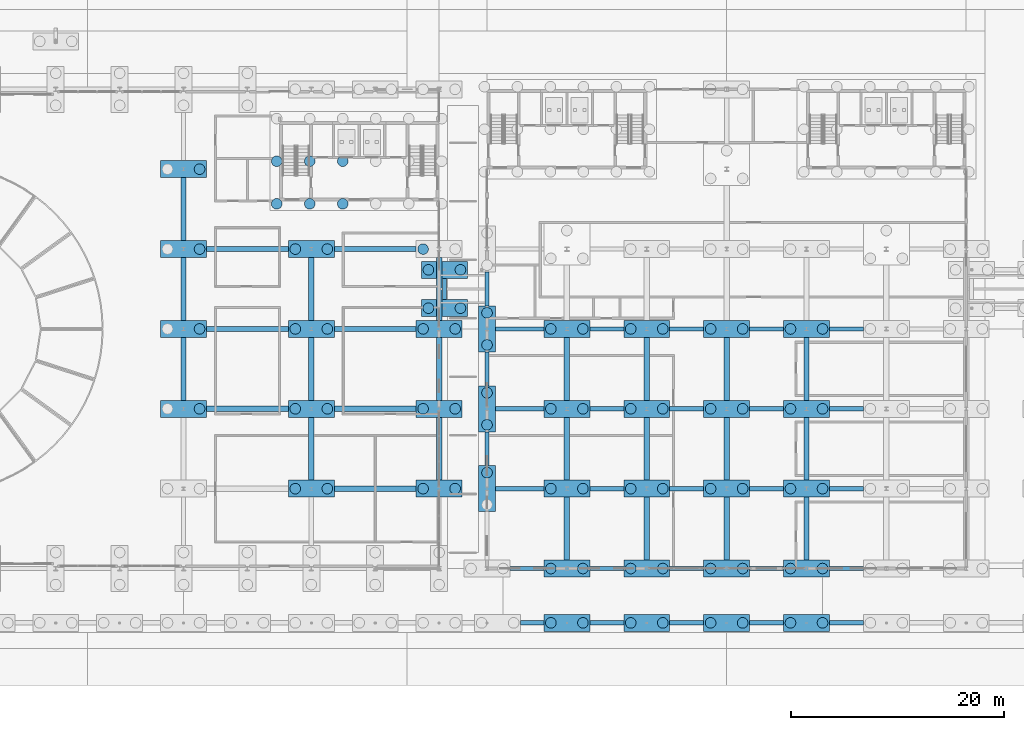
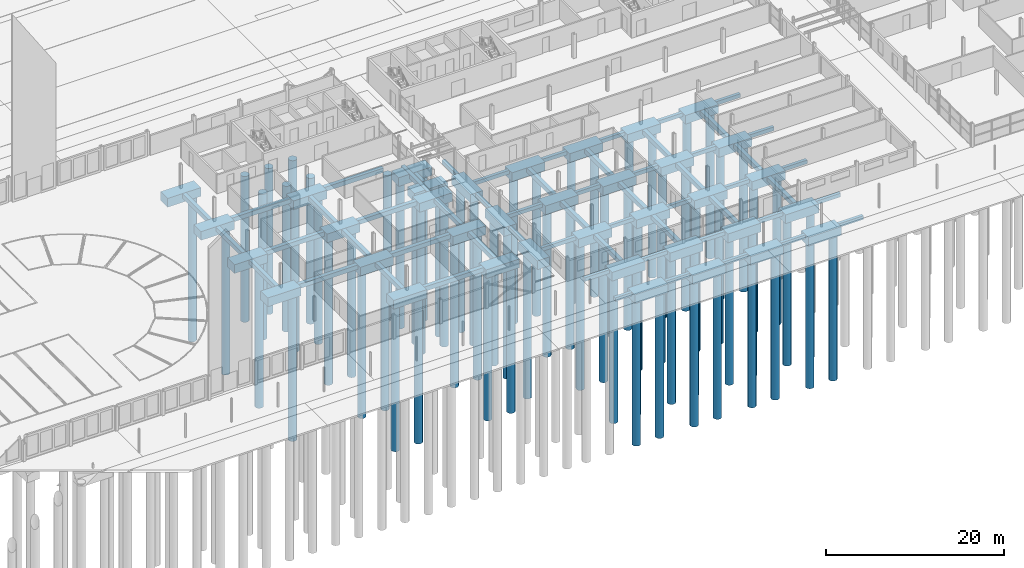
# One storey, part 2 of 130: 93 footings, 74 piles.
"""IFC4 building model written with IfcOpenShell, lengths in metres."""

from ifc_helpers import new_model, si_unit, direction, frame, origin, origin_2d, place, context, subcontext, project, spatial, rectangle, circle, extrude, material, material_profile, profile_set, type_object, element, save


model = new_model("IFC4")

# Units and contexts
model_context = context("Model", 3, precision=1e-05, world=origin(), true_north=direction((0.0, 1.0)))
body_context = subcontext(model_context, "Body", "Model", "MODEL_VIEW")
ifc_project = project(units=[si_unit("LENGTHUNIT", "METRE"), si_unit("AREAUNIT", "SQUARE_METRE"), si_unit("VOLUMEUNIT", "CUBIC_METRE"), si_unit("PLANEANGLEUNIT", "RADIAN"), si_unit("MASSUNIT", "GRAM", prefix="KILO")], contexts=[model_context])

# Site, building, storey
site_placement = place(None, origin())
site = spatial("IfcSite", under=ifc_project, at=site_placement, CompositionType="ELEMENT")
building_placement = place(site_placement, origin())
building = spatial("IfcBuilding", under=site, at=building_placement, Name="Parallax Yard Mobility Hub", CompositionType="ELEMENT")
storey_placement = place(building_placement, origin())
storey = spatial("IfcBuildingStorey", under=building, at=storey_placement, Name="L00", CompositionType="ELEMENT", Elevation=0.0)

# Piles
ifc_material = material(Name="Concrete fc' 28 MPa", Category="concrete")
ifc_material_profile_1 = material_profile(ifc_material, circle(Radius=0.5, at=origin_2d()), Name="Bored pile D1000")
ifc_profile_set_1 = profile_set([ifc_material_profile_1], Name="Concrete fc' 28 MPa")
pile_type = type_object("IfcPileType", Name="Bored pile D1000", PredefinedType="BORED", material=ifc_profile_set_1)
for number, where, z_axis, x_axis, name in (
    (1, (70.5048828125, 22.5, -1.35009765625), (0.0, 0.0, -1.0), (1.0, 0.0, 0.0), "Bored pile 2 of PC1 under column V1 at F11/D"),
    (2, (70.5048828125, 30.0, -1.35009765625), (0.0, 0.0, -1.0), (1.0, 0.0, 0.0), "Bored pile 2 of PC1 under column V1 at F11/E"),
    (3, (70.5048828125, 37.5, -1.35009765625), (0.0, 0.0, -1.0), (1.0, 0.0, 0.0), "Bored pile 2 of PC1 under column V1 at F11/F"),
    (4, (70.5048828125, 45.0, -1.35009765625), (0.0, 0.0, -1.0), (1.0, 0.0, 0.0), "Bored pile 2 of PC1 under column V1 at F11/G"),
    (5, (79.4951171875, 15.0, -1.35009765625), (0.0, 0.0, -1.0), (1.0, 0.0, 0.0), "Bored pile 1 of PC1 under column V1 at F13/C"),
    (6, (82.5048828125, 15.0, -1.35009765625), (0.0, 0.0, -1.0), (1.0, 0.0, 0.0), "Bored pile 2 of PC1 under column V1 at F13/C"),
    (7, (79.4951171875, 22.5, -1.35009765625), (0.0, 0.0, -1.0), (1.0, 0.0, 0.0), "Bored pile 1 of PC1 under column V1 at F13/D"),
    (8, (82.5048828125, 22.5, -1.35009765625), (0.0, 0.0, -1.0), (1.0, 0.0, 0.0), "Bored pile 2 of PC1 under column V1 at F13/D"),
    (9, (79.4951171875, 30.0, -1.35009765625), (0.0, 0.0, -1.0), (1.0, 0.0, 0.0), "Bored pile 1 of PC1 under column V1 at F13/E"),
    (10, (82.5048828125, 30.0, -1.35009765625), (0.0, 0.0, -1.0), (1.0, 0.0, 0.0), "Bored pile 2 of PC1 under column V1 at F13/E"),
    (11, (79.4951171875, 37.5, -1.35009765625), (0.0, 0.0, -1.0), (1.0, 0.0, 0.0), "Bored pile 1 of PC1 under column V1 at F13/F"),
    (12, (82.5048828125, 37.5, -1.35009765625), (0.0, 0.0, -1.0), (1.0, 0.0, 0.0), "Bored pile 2 of PC1 under column V1 at F13/F"),
    (13, (91.4951171875, 15.0, -1.35009765625), (0.0, 0.0, -1.0), (1.0, 0.0, 0.0), "Bored pile 1 of PC1 under column V1 at F15/C"),
    (14, (94.5048828125, 15.0, -1.35009765625), (0.0, 0.0, -1.0), (1.0, 0.0, 0.0), "Bored pile 2 of PC1 under column V1 at F15/C"),
    (15, (91.4951171875, 22.5, -1.35009765625), (0.0, 0.0, -1.0), (1.0, 0.0, 0.0), "Bored pile 1 of PC1 under column V1 at F15/D"),
    (16, (94.5048828125, 22.5, -1.35009765625), (0.0, 0.0, -1.0), (1.0, 0.0, 0.0), "Bored pile 2 of PC1 under column V1 at F15/D"),
    (17, (91.4951171875, 30.0, -1.35009765625), (0.0, 0.0, -1.0), (1.0, 0.0, 0.0), "Bored pile 1 of PC1 under column V1 at F15/E"),
    (18, (94.5048828125, 30.0, -1.35009765625), (0.0, 0.0, -1.0), (1.0, 0.0, 0.0), "Bored pile 2 of PC1 under column V1 at F15/E"),
    (19, (91.4951171875, 37.5, -1.35009765625), (0.0, 0.0, -1.0), (1.0, 0.0, 0.0), "Bored pile 1 of PC1 under column V1 at F15/F"),
    (20, (103.4951171875, 7.5, -1.35009765625), (0.0, 0.0, -1.0), (1.0, 0.0, 0.0), "Bored pile 1 of PC1 under column V6 at B/15"),
    (21, (106.5048828125, 7.5, -1.35009765625), (0.0, 0.0, -1.0), (1.0, 0.0, 0.0), "Bored pile 2 of PC1 under column V6 at B/15"),
    (22, (110.9951171875, 7.5, -1.35009765625), (0.0, 0.0, -1.0), (1.0, 0.0, 0.0), "Bored pile 1 of PC1 under column V6 at B/16"),
    (23, (114.0048828125, 7.5, -1.35009765625), (0.0, 0.0, -1.0), (1.0, 0.0, 0.0), "Bored pile 2 of PC1 under column V6 at B/16"),
    (24, (118.4951171875, 7.5, -1.35009765625), (0.0, 0.0, -1.0), (1.0, 0.0, 0.0), "Bored pile 1 of PC1 under column V6 at B/17"),
    (25, (121.5048828125, 7.5, -1.35009765625), (0.0, 0.0, -1.0), (1.0, 0.0, 0.0), "Bored pile 2 of PC1 under column V6 at B/17"),
    (26, (125.9951171875, 7.5, -1.35009765625), (0.0, 0.0, -1.0), (1.0, 0.0, 0.0), "Bored pile 1 of PC1 under column V6 at B/18"),
    (27, (129.0048828125, 7.5, -1.35009765625), (0.0, 0.0, -1.0), (1.0, 0.0, 0.0), "Bored pile 2 of PC1 under column V6 at B/18"),
    (28, (97.5, 16.5048828125, -1.35009765625), (0.0, 0.0, -1.0), (1.0, 0.0, 0.0), "Bored pile 2 of PC1 under column V6 at C/14"),
    (29, (103.4951171875, 15.0, -1.35009765625), (0.0, 0.0, -1.0), (1.0, 0.0, 0.0), "Bored pile 1 of PC1 under column V6 at C/15"),
    (30, (106.5048828125, 15.0, -1.35009765625), (0.0, 0.0, -1.0), (1.0, 0.0, 0.0), "Bored pile 2 of PC1 under column V6 at C/15"),
    (31, (110.9951171875, 15.0, -1.35009765625), (0.0, 0.0, -1.0), (1.0, 0.0, 0.0), "Bored pile 1 of PC1 under column V6 at C/16"),
    (32, (114.0048828125, 15.0, -1.35009765625), (0.0, 0.0, -1.0), (1.0, 0.0, 0.0), "Bored pile 2 of PC1 under column V6 at C/16"),
    (33, (118.4951171875, 15.0, -1.35009765625), (0.0, 0.0, -1.0), (1.0, 0.0, 0.0), "Bored pile 1 of PC1 under column V6 at C/17"),
    (34, (121.5048828125, 15.0, -1.35009765625), (0.0, 0.0, -1.0), (1.0, 0.0, 0.0), "Bored pile 2 of PC1 under column V6 at C/17"),
    (35, (125.9951171875, 15.0, -1.35009765625), (0.0, 0.0, -1.0), (1.0, 0.0, 0.0), "Bored pile 1 of PC1 under column V6 at C/18"),
    (36, (129.0048828125, 15.0, -1.35009765625), (0.0, 0.0, -1.0), (1.0, 0.0, 0.0), "Bored pile 2 of PC1 under column V6 at C/18"),
    (37, (97.5, 20.9951171875, -1.35009765625), (0.0, 0.0, -1.0), (1.0, 0.0, 0.0), "Bored pile 1 of PC1 under column V6 at D/14"),
    (38, (97.5, 24.0048828125, -1.35009765625), (0.0, 0.0, -1.0), (1.0, 0.0, 0.0), "Bored pile 2 of PC1 under column V6 at D/14"),
    (39, (103.4951171875, 22.5, -1.35009765625), (0.0, 0.0, -1.0), (1.0, 0.0, 0.0), "Bored pile 1 of PC1 under column V6 at D/15"),
    (40, (106.5048828125, 22.5, -1.35009765625), (0.0, 0.0, -1.0), (1.0, 0.0, 0.0), "Bored pile 2 of PC1 under column V6 at D/15"),
    (41, (110.9951171875, 22.5, -1.35009765625), (0.0, 0.0, -1.0), (1.0, 0.0, 0.0), "Bored pile 1 of PC1 under column V6 at D/16"),
    (42, (114.0048828125, 22.5, -1.35009765625), (0.0, 0.0, -1.0), (1.0, 0.0, 0.0), "Bored pile 2 of PC1 under column V6 at D/16"),
    (43, (118.4951171875, 22.5, -1.35009765625), (0.0, 0.0, -1.0), (1.0, 0.0, 0.0), "Bored pile 1 of PC1 under column V6 at D/17"),
    (44, (121.5048828125, 22.5, -1.35009765625), (0.0, 0.0, -1.0), (1.0, 0.0, 0.0), "Bored pile 2 of PC1 under column V6 at D/17"),
    (45, (125.9951171875, 22.5, -1.35009765625), (0.0, 0.0, -1.0), (1.0, 0.0, 0.0), "Bored pile 1 of PC1 under column V6 at D/18"),
    (46, (129.0048828125, 22.5, -1.35009765625), (0.0, 0.0, -1.0), (1.0, 0.0, 0.0), "Bored pile 2 of PC1 under column V6 at D/18"),
    (47, (97.5, 28.4951171875, -1.35009765625), (0.0, 0.0, -1.0), (1.0, 0.0, 0.0), "Bored pile 1 of PC1 under column V6 at E/14"),
    (48, (97.5, 31.5048828125, -1.35009765625), (0.0, 0.0, -1.0), (1.0, 0.0, 0.0), "Bored pile 2 of PC1 under column V6 at E/14"),
    (49, (103.4951171875, 30.0, -1.35009765625), (0.0, 0.0, -1.0), (1.0, 0.0, 0.0), "Bored pile 1 of PC1 under column V6 at E/15"),
    (50, (106.5048828125, 30.0, -1.35009765625), (0.0, 0.0, -1.0), (1.0, 0.0, 0.0), "Bored pile 2 of PC1 under column V6 at E/15"),
    (51, (110.9951171875, 30.0, -1.35009765625), (0.0, 0.0, -1.0), (1.0, 0.0, 0.0), "Bored pile 1 of PC1 under column V6 at E/16"),
    (52, (114.0048828125, 30.0, -1.35009765625), (0.0, 0.0, -1.0), (1.0, 0.0, 0.0), "Bored pile 2 of PC1 under column V6 at E/16"),
    (53, (118.4951171875, 30.0, -1.35009765625), (0.0, 0.0, -1.0), (1.0, 0.0, 0.0), "Bored pile 1 of PC1 under column V6 at E/17"),
    (54, (121.5048828125, 30.0, -1.35009765625), (0.0, 0.0, -1.0), (1.0, 0.0, 0.0), "Bored pile 2 of PC1 under column V6 at E/17"),
    (55, (125.9951171875, 30.0, -1.35009765625), (0.0, 0.0, -1.0), (1.0, 0.0, 0.0), "Bored pile 1 of PC1 under column V6 at E/18"),
    (56, (129.0048828125, 30.0, -1.35009765625), (0.0, 0.0, -1.0), (1.0, 0.0, 0.0), "Bored pile 2 of PC1 under column V6 at E/18"),
    (57, (77.75, 41.75, -1.64990234375), (0.0, 0.0, -1.0), (1.0, 0.0, 0.0), "Bored pile 1 of PR1 under core C1"),
    (58, (80.85009765625, 41.75, -1.64990234375), (0.0, 0.0, -1.0), (1.0, 0.0, 0.0), "Bored pile 2 of PR1 under core C1"),
    (59, (83.949951171875, 41.75, -1.64990234375), (0.0, 0.0, -1.0), (1.0, 0.0, 0.0), "Bored pile 3 of PR1 under core C1"),
    (60, (77.75, 45.75, -1.64990234375), (0.0, 0.0, -1.0), (1.0, 0.0, 0.0), "Bored pile 7 of PR1 under core C1"),
    (61, (80.85009765625, 45.75, -1.64990234375), (0.0, 0.0, -1.0), (1.0, 0.0, 0.0), "Bored pile 8 of PR1 under core C1"),
    (62, (83.949951171875, 45.75, -1.64990234375), (0.0, 0.0, -1.0), (1.0, 0.0, 0.0), "Bored pile 9 of PR1 under core C1"),
    (63, (103.4951171875, 2.39990234375, -1.35009765625), (0.0, 0.0, -1.0), (1.0, 0.0, 0.0), "Bored pile 1 of PC1 under column RT at AR-V6-C02-L00"),
    (64, (106.5048828125, 2.39990234375, -1.35009765625), (0.0, 0.0, -1.0), (1.0, 0.0, 0.0), "Bored pile 2 of PC1 under column RT at AR-V6-C02-L00"),
    (65, (110.9951171875, 2.39990234375, -1.35009765625), (0.0, 0.0, -1.0), (1.0, 0.0, 0.0), "Bored pile 1 of PC1 under column RT at AR-V6-C03-L00"),
    (66, (114.0048828125, 2.39990234375, -1.35009765625), (0.0, 0.0, -1.0), (1.0, 0.0, 0.0), "Bored pile 2 of PC1 under column RT at AR-V6-C03-L00"),
    (67, (118.4951171875, 2.39990234375, -1.35009765625), (0.0, 0.0, -1.0), (1.0, 0.0, 0.0), "Bored pile 1 of PC1 under column RT at AR-V6-C04-L00"),
    (68, (121.5048828125, 2.39990234375, -1.35009765625), (0.0, 0.0, -1.0), (1.0, 0.0, 0.0), "Bored pile 2 of PC1 under column RT at AR-V6-C04-L00"),
    (69, (125.9951171875, 2.39990234375, -1.35009765625), (0.0, 0.0, -1.0), (1.0, 0.0, 0.0), "Bored pile 1 of PC1 under column RT at AR-V6-C05-L00"),
    (70, (129.0048828125, 2.39990234375, -1.35009765625), (0.0, 0.0, -1.0), (1.0, 0.0, 0.0), "Bored pile 2 of PC1 under column RT at AR-V6-C05-L00"),
    (71, (91.9951171875, 31.949951171875, -1.35009765625), (0.0, 0.0, -1.0), (1.0, 0.0, 0.0), "Bored pile 1 of PC1 under column RT at BR-BR1-PI0320-1-L00"),
    (72, (95.0048828125, 31.949951171875, -1.35009765625), (0.0, 0.0, -1.0), (1.0, 0.0, 0.0), "Bored pile 2 of PC1 under column RT at BR-BR1-PI0320-1-L00"),
    (73, (91.9951171875, 35.550048828125, -1.35009765625), (0.0, 0.0, -1.0), (1.0, 0.0, 0.0), "Bored pile 1 of PC1 under column RT at BR-BR1-PI0356-1-L00"),
    (74, (95.0048828125, 35.550048828125, -1.35009765625), (0.0, 0.0, -1.0), (1.0, 0.0, 0.0), "Bored pile 2 of PC1 under column RT at BR-BR1-PI0356-1-L00"),
):
    element("IfcPile", number, at=place(storey_placement, frame(where, z_axis=z_axis, x_axis=x_axis)), inside=storey, type_object=pile_type, Name=name, PredefinedType="BORED", context=body_context, shape_type="SweptSolid", body=[
        extrude(circle(Radius=0.5, at=origin_2d()), origin(), (0.0, 0.0, 1.0), 20.0),
    ])

# Footings
ifc_material_profile_2 = material_profile(ifc_material, rectangle(XDim=0.39990234375, YDim=0.5, at=origin_2d()), Name="Grade beam 400x500")
ifc_profile_set_2 = profile_set([ifc_material_profile_2], Name="Concrete fc' 28 MPa")
footing_type_1 = type_object("IfcFootingType", Name="Grade beam 400x500", PredefinedType="STRIP_FOOTING", material=ifc_profile_set_2)
for number, where, z_axis, x_axis, name in (
    (75, (99.655029296875, 7.5, -0.5), (1.0, 0.0, 0.0), (0.0, 1.0, 0.0), "Grade beam GB1 between B/14 and B/15 of mobility service centre and workshops"),
    (76, (107.155029296875, 7.5, -0.5), (1.0, 0.0, 0.0), (0.0, 1.0, 0.0), "Grade beam GB1 between B/15 and B/16 of mobility service centre and workshops"),
    (77, (114.655029296875, 7.5, -0.5), (1.0, 0.0, 0.0), (0.0, 1.0, 0.0), "Grade beam GB1 between B/16 and B/17 of mobility service centre and workshops"),
    (78, (122.155029296875, 7.5, -0.5), (1.0, 0.0, 0.0), (0.0, 1.0, 0.0), "Grade beam GB1 between B/17 and B/18 of mobility service centre and workshops"),
    (79, (129.655029296875, 7.5, -0.5), (1.0, 0.0, 0.0), (0.0, 1.0, 0.0), "Grade beam GB1 between B/18 and B/19 of mobility service centre and workshops"),
):
    element("IfcFooting", number, at=place(storey_placement, frame(where, z_axis=z_axis, x_axis=x_axis)), inside=storey, type_object=footing_type_1, Name=name, PredefinedType="STRIP_FOOTING", context=body_context, shape_type="SweptSolid", body=[
        extrude(rectangle(XDim=0.39990234375, YDim=0.5, at=origin_2d()), origin(), (0.0, 0.0, 1.0), 3.18994140625),
    ])
footing_1_placement = place(storey_placement, frame((98.300048828125, 15.0, -0.5), z_axis=(1.0, 0.0, 0.0), x_axis=(0.0, 1.0, 0.0)))
element("IfcFooting", 80, at=footing_1_placement, inside=storey, type_object=footing_type_1, Name="Grade beam GB1 between C/14 and C/15 of mobility service centre and workshops", PredefinedType="STRIP_FOOTING", context=body_context, shape_type="SweptSolid", body=[
    extrude(rectangle(XDim=0.39990234375, YDim=0.5, at=origin_2d()), origin(), (0.0, 0.0, 1.0), 4.544921875),
])
for number, where, z_axis, x_axis, name in (
    (81, (97.5, 17.155029296875, -0.5), (0.0, 1.0, 0.0), (-1.0, 0.0, 0.0), "Grade beam GB1 between C/14 and D/14 of mobility service centre and workshops"),
    (82, (107.155029296875, 15.0, -0.5), (1.0, 0.0, 0.0), (0.0, 1.0, 0.0), "Grade beam GB1 between C/15 and C/16 of mobility service centre and workshops"),
    (83, (114.655029296875, 15.0, -0.5), (1.0, 0.0, 0.0), (0.0, 1.0, 0.0), "Grade beam GB1 between C/16 and C/17 of mobility service centre and workshops"),
    (84, (122.155029296875, 15.0, -0.5), (1.0, 0.0, 0.0), (0.0, 1.0, 0.0), "Grade beam GB1 between C/17 and C/18 of mobility service centre and workshops"),
    (85, (129.655029296875, 15.0, -0.5), (1.0, 0.0, 0.0), (0.0, 1.0, 0.0), "Grade beam GB1 between C/18 and C/19 of mobility service centre and workshops"),
):
    element("IfcFooting", number, at=place(storey_placement, frame(where, z_axis=z_axis, x_axis=x_axis)), inside=storey, type_object=footing_type_1, Name=name, PredefinedType="STRIP_FOOTING", context=body_context, shape_type="SweptSolid", body=[
        extrude(rectangle(XDim=0.39990234375, YDim=0.5, at=origin_2d()), origin(), (0.0, 0.0, 1.0), 3.18994140625),
    ])
footing_2_placement = place(storey_placement, frame((98.300048828125, 22.5, -0.5), z_axis=(1.0, 0.0, 0.0), x_axis=(0.0, 1.0, 0.0)))
element("IfcFooting", 86, at=footing_2_placement, inside=storey, type_object=footing_type_1, Name="Grade beam GB1 between D/14 and D/15 of mobility service centre and workshops", PredefinedType="STRIP_FOOTING", context=body_context, shape_type="SweptSolid", body=[
    extrude(rectangle(XDim=0.39990234375, YDim=0.5, at=origin_2d()), origin(), (0.0, 0.0, 1.0), 4.544921875),
])
for number, where, z_axis, x_axis, name in (
    (87, (97.5, 24.655029296875, -0.5), (0.0, 1.0, 0.0), (-1.0, 0.0, 0.0), "Grade beam GB1 between D/14 and E/14 of mobility service centre and workshops"),
    (88, (107.155029296875, 22.5, -0.5), (1.0, 0.0, 0.0), (0.0, 1.0, 0.0), "Grade beam GB1 between D/15 and D/16 of mobility service centre and workshops"),
    (89, (114.655029296875, 22.5, -0.5), (1.0, 0.0, 0.0), (0.0, 1.0, 0.0), "Grade beam GB1 between D/16 and D/17 of mobility service centre and workshops"),
    (90, (122.155029296875, 22.5, -0.5), (1.0, 0.0, 0.0), (0.0, 1.0, 0.0), "Grade beam GB1 between D/17 and D/18 of mobility service centre and workshops"),
    (91, (129.655029296875, 22.5, -0.5), (1.0, 0.0, 0.0), (0.0, 1.0, 0.0), "Grade beam GB1 between D/18 and D/19 of mobility service centre and workshops"),
):
    element("IfcFooting", number, at=place(storey_placement, frame(where, z_axis=z_axis, x_axis=x_axis)), inside=storey, type_object=footing_type_1, Name=name, PredefinedType="STRIP_FOOTING", context=body_context, shape_type="SweptSolid", body=[
        extrude(rectangle(XDim=0.39990234375, YDim=0.5, at=origin_2d()), origin(), (0.0, 0.0, 1.0), 3.18994140625),
    ])
footing_3_placement = place(storey_placement, frame((98.300048828125, 30.0, -0.5), z_axis=(1.0, 0.0, 0.0), x_axis=(0.0, 1.0, 0.0)))
element("IfcFooting", 92, at=footing_3_placement, inside=storey, type_object=footing_type_1, Name="Grade beam GB1 between E/14 and E/15 of mobility service centre and workshops", PredefinedType="STRIP_FOOTING", context=body_context, shape_type="SweptSolid", body=[
    extrude(rectangle(XDim=0.39990234375, YDim=0.5, at=origin_2d()), origin(), (0.0, 0.0, 1.0), 4.544921875),
])
for number, where, z_axis, x_axis, name in (
    (93, (97.5, 32.155029296875, -0.5), (0.0, 1.0, 0.0), (-1.0, 0.0, 0.0), "Grade beam GB1 between E/14 and F/14 of mobility service centre and workshops"),
    (94, (107.155029296875, 30.0, -0.5), (1.0, 0.0, 0.0), (0.0, 1.0, 0.0), "Grade beam GB1 between E/15 and E/16 of mobility service centre and workshops"),
    (95, (114.655029296875, 30.0, -0.5), (1.0, 0.0, 0.0), (0.0, 1.0, 0.0), "Grade beam GB1 between E/16 and E/17 of mobility service centre and workshops"),
    (96, (122.155029296875, 30.0, -0.5), (1.0, 0.0, 0.0), (0.0, 1.0, 0.0), "Grade beam GB1 between E/17 and E/18 of mobility service centre and workshops"),
    (97, (129.655029296875, 30.0, -0.5), (1.0, 0.0, 0.0), (0.0, 1.0, 0.0), "Grade beam GB1 between E/18 and E/19 of mobility service centre and workshops"),
):
    element("IfcFooting", number, at=place(storey_placement, frame(where, z_axis=z_axis, x_axis=x_axis)), inside=storey, type_object=footing_type_1, Name=name, PredefinedType="STRIP_FOOTING", context=body_context, shape_type="SweptSolid", body=[
        extrude(rectangle(XDim=0.39990234375, YDim=0.5, at=origin_2d()), origin(), (0.0, 0.0, 1.0), 3.18994140625),
    ])
footing_4_placement = place(storey_placement, frame((100.655029296875, 2.39990234375, -0.5), z_axis=(1.0, 0.0, 0.0), x_axis=(0.0, 1.0, 0.0)))
element("IfcFooting", 98, at=footing_4_placement, inside=storey, type_object=footing_type_1, Name="Grade beam GB1 between two column caps of the roof and arcade columns", PredefinedType="STRIP_FOOTING", context=body_context, shape_type="SweptSolid", body=[
    extrude(rectangle(XDim=0.39990234375, YDim=0.5, at=origin_2d()), origin(), (0.0, 0.0, 1.0), 2.18994140625),
])
for number, where, z_axis, x_axis, name in (
    (99, (107.155029296875, 2.39990234375, -0.5), (1.0, 0.0, 0.0), (0.0, 1.0, 0.0), "Grade beam GB1 between two column caps of the roof and arcade columns"),
    (100, (114.655029296875, 2.39990234375, -0.5), (1.0, 0.0, 0.0), (0.0, 1.0, 0.0), "Grade beam GB1 between two column caps of the roof and arcade columns"),
    (101, (122.155029296875, 2.39990234375, -0.5), (1.0, 0.0, 0.0), (0.0, 1.0, 0.0), "Grade beam GB1 between two column caps of the roof and arcade columns"),
    (102, (129.655029296875, 2.39990234375, -0.5), (1.0, 0.0, 0.0), (0.0, 1.0, 0.0), "Grade beam GB1 between two column caps of the roof and arcade columns"),
):
    element("IfcFooting", number, at=place(storey_placement, frame(where, z_axis=z_axis, x_axis=x_axis)), inside=storey, type_object=footing_type_1, Name=name, PredefinedType="STRIP_FOOTING", context=body_context, shape_type="SweptSolid", body=[
        extrude(rectangle(XDim=0.39990234375, YDim=0.5, at=origin_2d()), origin(), (0.0, 0.0, 1.0), 3.18994140625),
    ])
footing_5_placement = place(storey_placement, frame((93.5, 32.75, -0.5), z_axis=(0.0, 1.0, 0.0), x_axis=(-1.0, 0.0, 0.0)))
element("IfcFooting", 103, at=footing_5_placement, inside=storey, type_object=footing_type_1, Name="Grade beam GB1 between two column caps of the roof and arcade columns", PredefinedType="STRIP_FOOTING", context=body_context, shape_type="SweptSolid", body=[
    extrude(rectangle(XDim=0.39990234375, YDim=0.5, at=origin_2d()), origin(), (0.0, 0.0, 1.0), 2.0),
])
ifc_material_profile_3 = material_profile(ifc_material, rectangle(XDim=0.5, YDim=0.60009765625, at=origin_2d()), Name="Grade beam 500x600")
ifc_profile_set_3 = profile_set([ifc_material_profile_3], Name="Concrete fc' 28 MPa")
footing_type_2 = type_object("IfcFootingType", Name="Grade beam 500x600", PredefinedType="STRIP_FOOTING", material=ifc_profile_set_3)
footing_6_placement = place(storey_placement, frame((69.0, 23.300048828125, -0.550048828125), z_axis=(0.0, 1.0, 0.0), x_axis=(-1.0, 0.0, 0.0)))
element("IfcFooting", 104, at=footing_6_placement, inside=storey, type_object=footing_type_2, Name="Grade beam GB2 between F11/D and F11/E of bus and taxi deck", PredefinedType="STRIP_FOOTING", context=body_context, shape_type="SweptSolid", body=[
    extrude(rectangle(XDim=0.5, YDim=0.60009765625, at=origin_2d()), origin(), (0.0, 0.0, 1.0), 5.89990234375),
])
footing_7_placement = place(storey_placement, frame((71.155029296875, 22.5, -0.550048828125), z_axis=(1.0, 0.0, 0.0), x_axis=(0.0, 1.0, 0.0)))
element("IfcFooting", 105, at=footing_7_placement, inside=storey, type_object=footing_type_2, Name="Grade beam GB2 between F11/D and F13/D of bus and taxi deck", PredefinedType="STRIP_FOOTING", context=body_context, shape_type="SweptSolid", body=[
    extrude(rectangle(XDim=0.5, YDim=0.60009765625, at=origin_2d()), origin(), (0.0, 0.0, 1.0), 7.68994140625),
])
footing_8_placement = place(storey_placement, frame((69.0, 30.800048828125, -0.550048828125), z_axis=(0.0, 1.0, 0.0), x_axis=(-1.0, 0.0, 0.0)))
element("IfcFooting", 106, at=footing_8_placement, inside=storey, type_object=footing_type_2, Name="Grade beam GB2 between F11/E and F11/F of bus and taxi deck", PredefinedType="STRIP_FOOTING", context=body_context, shape_type="SweptSolid", body=[
    extrude(rectangle(XDim=0.5, YDim=0.60009765625, at=origin_2d()), origin(), (0.0, 0.0, 1.0), 5.89990234375),
])
footing_9_placement = place(storey_placement, frame((71.155029296875, 30.0, -0.550048828125), z_axis=(1.0, 0.0, 0.0), x_axis=(0.0, 1.0, 0.0)))
element("IfcFooting", 107, at=footing_9_placement, inside=storey, type_object=footing_type_2, Name="Grade beam GB2 between F11/E and F13/E of bus and taxi deck", PredefinedType="STRIP_FOOTING", context=body_context, shape_type="SweptSolid", body=[
    extrude(rectangle(XDim=0.5, YDim=0.60009765625, at=origin_2d()), origin(), (0.0, 0.0, 1.0), 7.68994140625),
])
footing_10_placement = place(storey_placement, frame((69.0, 38.300048828125, -0.550048828125), z_axis=(0.0, 1.0, 0.0), x_axis=(-1.0, 0.0, 0.0)))
element("IfcFooting", 108, at=footing_10_placement, inside=storey, type_object=footing_type_2, Name="Grade beam GB2 between F11/F and F11/G of bus and taxi deck", PredefinedType="STRIP_FOOTING", context=body_context, shape_type="SweptSolid", body=[
    extrude(rectangle(XDim=0.5, YDim=0.60009765625, at=origin_2d()), origin(), (0.0, 0.0, 1.0), 5.89990234375),
])
footing_11_placement = place(storey_placement, frame((71.155029296875, 37.5, -0.550048828125), z_axis=(1.0, 0.0, 0.0), x_axis=(0.0, 1.0, 0.0)))
element("IfcFooting", 109, at=footing_11_placement, inside=storey, type_object=footing_type_2, Name="Grade beam GB2 between F11/F and F13/F of bus and taxi deck", PredefinedType="STRIP_FOOTING", context=body_context, shape_type="SweptSolid", body=[
    extrude(rectangle(XDim=0.5, YDim=0.60009765625, at=origin_2d()), origin(), (0.0, 0.0, 1.0), 7.68994140625),
])
footing_12_placement = place(storey_placement, frame((81.0, 15.800048828125, -0.550048828125), z_axis=(0.0, 1.0, 0.0), x_axis=(-1.0, 0.0, 0.0)))
element("IfcFooting", 110, at=footing_12_placement, inside=storey, type_object=footing_type_2, Name="Grade beam GB2 between F13/C and F13/D of bus and taxi deck", PredefinedType="STRIP_FOOTING", context=body_context, shape_type="SweptSolid", body=[
    extrude(rectangle(XDim=0.5, YDim=0.60009765625, at=origin_2d()), origin(), (0.0, 0.0, 1.0), 5.89990234375),
])
footing_13_placement = place(storey_placement, frame((83.155029296875, 15.0, -0.550048828125), z_axis=(1.0, 0.0, 0.0), x_axis=(0.0, 1.0, 0.0)))
element("IfcFooting", 111, at=footing_13_placement, inside=storey, type_object=footing_type_2, Name="Grade beam GB2 between F13/C and F15/C of bus and taxi deck", PredefinedType="STRIP_FOOTING", context=body_context, shape_type="SweptSolid", body=[
    extrude(rectangle(XDim=0.5, YDim=0.60009765625, at=origin_2d()), origin(), (0.0, 0.0, 1.0), 7.68994140625),
])
footing_14_placement = place(storey_placement, frame((81.0, 23.300048828125, -0.550048828125), z_axis=(0.0, 1.0, 0.0), x_axis=(-1.0, 0.0, 0.0)))
element("IfcFooting", 112, at=footing_14_placement, inside=storey, type_object=footing_type_2, Name="Grade beam GB2 between F13/D and F13/E of bus and taxi deck", PredefinedType="STRIP_FOOTING", context=body_context, shape_type="SweptSolid", body=[
    extrude(rectangle(XDim=0.5, YDim=0.60009765625, at=origin_2d()), origin(), (0.0, 0.0, 1.0), 5.89990234375),
])
footing_15_placement = place(storey_placement, frame((83.155029296875, 22.5, -0.550048828125), z_axis=(1.0, 0.0, 0.0), x_axis=(0.0, 1.0, 0.0)))
element("IfcFooting", 113, at=footing_15_placement, inside=storey, type_object=footing_type_2, Name="Grade beam GB2 between F13/D and F15/D of bus and taxi deck", PredefinedType="STRIP_FOOTING", context=body_context, shape_type="SweptSolid", body=[
    extrude(rectangle(XDim=0.5, YDim=0.60009765625, at=origin_2d()), origin(), (0.0, 0.0, 1.0), 7.68994140625),
])
footing_16_placement = place(storey_placement, frame((81.0, 30.800048828125, -0.550048828125), z_axis=(0.0, 1.0, 0.0), x_axis=(-1.0, 0.0, 0.0)))
element("IfcFooting", 114, at=footing_16_placement, inside=storey, type_object=footing_type_2, Name="Grade beam GB2 between F13/E and F13/F of bus and taxi deck", PredefinedType="STRIP_FOOTING", context=body_context, shape_type="SweptSolid", body=[
    extrude(rectangle(XDim=0.5, YDim=0.60009765625, at=origin_2d()), origin(), (0.0, 0.0, 1.0), 5.89990234375),
])
for number, where, z_axis, x_axis, name in (
    (115, (83.155029296875, 30.0, -0.550048828125), (1.0, 0.0, 0.0), (0.0, 1.0, 0.0), "Grade beam GB2 between F13/E and F15/E of bus and taxi deck"),
    (116, (83.155029296875, 37.5, -0.550048828125), (1.0, 0.0, 0.0), (0.0, 1.0, 0.0), "Grade beam GB2 between F13/F and F15/F of bus and taxi deck"),
):
    element("IfcFooting", number, at=place(storey_placement, frame(where, z_axis=z_axis, x_axis=x_axis)), inside=storey, type_object=footing_type_2, Name=name, PredefinedType="STRIP_FOOTING", context=body_context, shape_type="SweptSolid", body=[
        extrude(rectangle(XDim=0.5, YDim=0.60009765625, at=origin_2d()), origin(), (0.0, 0.0, 1.0), 7.68994140625),
    ])
for number, where, z_axis, x_axis, name in (
    (117, (93.0, 15.800048828125, -0.550048828125), (0.0, 1.0, 0.0), (-1.0, 0.0, 0.0), "Grade beam GB2 between F15/C and F15/D of bus and taxi deck"),
    (118, (93.0, 23.300048828125, -0.550048828125), (0.0, 1.0, 0.0), (-1.0, 0.0, 0.0), "Grade beam GB2 between F15/D and F15/E of bus and taxi deck"),
    (119, (93.0, 30.800048828125, -0.550048828125), (0.0, 1.0, 0.0), (-1.0, 0.0, 0.0), "Grade beam GB2 between F15/E and F15/F of bus and taxi deck"),
    (120, (105.0, 8.300048828125, -0.550048828125), (0.0, 1.0, 0.0), (-1.0, 0.0, 0.0), "Grade beam GB2 between B/15 and C/15 of mobility service centre and workshops"),
    (121, (112.5, 8.300048828125, -0.550048828125), (0.0, 1.0, 0.0), (-1.0, 0.0, 0.0), "Grade beam GB2 between B/16 and C/16 of mobility service centre and workshops"),
    (122, (120.0, 8.300048828125, -0.550048828125), (0.0, 1.0, 0.0), (-1.0, 0.0, 0.0), "Grade beam GB2 between B/17 and C/17 of mobility service centre and workshops"),
    (123, (127.5, 8.300048828125, -0.550048828125), (0.0, 1.0, 0.0), (-1.0, 0.0, 0.0), "Grade beam GB2 between B/18 and C/18 of mobility service centre and workshops"),
    (124, (105.0, 15.800048828125, -0.550048828125), (0.0, 1.0, 0.0), (-1.0, 0.0, 0.0), "Grade beam GB2 between C/15 and D/15 of mobility service centre and workshops"),
    (125, (112.5, 15.800048828125, -0.550048828125), (0.0, 1.0, 0.0), (-1.0, 0.0, 0.0), "Grade beam GB2 between C/16 and D/16 of mobility service centre and workshops"),
    (126, (120.0, 15.800048828125, -0.550048828125), (0.0, 1.0, 0.0), (-1.0, 0.0, 0.0), "Grade beam GB2 between C/17 and D/17 of mobility service centre and workshops"),
    (127, (127.5, 15.800048828125, -0.550048828125), (0.0, 1.0, 0.0), (-1.0, 0.0, 0.0), "Grade beam GB2 between C/18 and D/18 of mobility service centre and workshops"),
    (128, (105.0, 23.300048828125, -0.550048828125), (0.0, 1.0, 0.0), (-1.0, 0.0, 0.0), "Grade beam GB2 between D/15 and E/15 of mobility service centre and workshops"),
    (129, (112.5, 23.300048828125, -0.550048828125), (0.0, 1.0, 0.0), (-1.0, 0.0, 0.0), "Grade beam GB2 between D/16 and E/16 of mobility service centre and workshops"),
    (130, (120.0, 23.300048828125, -0.550048828125), (0.0, 1.0, 0.0), (-1.0, 0.0, 0.0), "Grade beam GB2 between D/17 and E/17 of mobility service centre and workshops"),
    (131, (127.5, 23.300048828125, -0.550048828125), (0.0, 1.0, 0.0), (-1.0, 0.0, 0.0), "Grade beam GB2 between D/18 and E/18 of mobility service centre and workshops"),
):
    element("IfcFooting", number, at=place(storey_placement, frame(where, z_axis=z_axis, x_axis=x_axis)), inside=storey, type_object=footing_type_2, Name=name, PredefinedType="STRIP_FOOTING", context=body_context, shape_type="SweptSolid", body=[
        extrude(rectangle(XDim=0.5, YDim=0.60009765625, at=origin_2d()), origin(), (0.0, 0.0, 1.0), 5.89990234375),
    ])
footing_type_3 = type_object("IfcFootingType", Name="Pile cap 4310x1600x1200", PredefinedType="PILE_CAP", material=ifc_material)
for number, where, z_axis, x_axis, name in (
    (132, (69.0, 22.5, -1.4501953125), (0.0, 0.0, 1.0), (1.0, 0.0, 0.0), "Pile cap PC1 under column V1 at F11/D"),
    (133, (69.0, 30.0, -1.4501953125), (0.0, 0.0, 1.0), (1.0, 0.0, 0.0), "Pile cap PC1 under column V1 at F11/E"),
    (134, (69.0, 37.5, -1.4501953125), (0.0, 0.0, 1.0), (1.0, 0.0, 0.0), "Pile cap PC1 under column V1 at F11/F"),
    (135, (69.0, 45.0, -1.4501953125), (0.0, 0.0, 1.0), (1.0, 0.0, 0.0), "Pile cap PC1 under column V1 at F11/G"),
    (136, (81.0, 15.0, -1.4501953125), (0.0, 0.0, 1.0), (1.0, 0.0, 0.0), "Pile cap PC1 under column V1 at F13/C"),
    (137, (81.0, 22.5, -1.4501953125), (0.0, 0.0, 1.0), (1.0, 0.0, 0.0), "Pile cap PC1 under column V1 at F13/D"),
    (138, (81.0, 30.0, -1.4501953125), (0.0, 0.0, 1.0), (1.0, 0.0, 0.0), "Pile cap PC1 under column V1 at F13/E"),
    (139, (81.0, 37.5, -1.4501953125), (0.0, 0.0, 1.0), (1.0, 0.0, 0.0), "Pile cap PC1 under column V1 at F13/F"),
    (140, (93.0, 15.0, -1.4501953125), (0.0, 0.0, 1.0), (1.0, 0.0, 0.0), "Pile cap PC1 under column V1 at F15/C"),
    (141, (93.0, 22.5, -1.4501953125), (0.0, 0.0, 1.0), (1.0, 0.0, 0.0), "Pile cap PC1 under column V1 at F15/D"),
    (142, (93.0, 30.0, -1.4501953125), (0.0, 0.0, 1.0), (1.0, 0.0, 0.0), "Pile cap PC1 under column V1 at F15/E"),
    (143, (105.0, 7.5, -1.4501953125), (0.0, 0.0, 1.0), (1.0, 0.0, 0.0), "Pile cap PC1 under column V6 at B/15"),
    (144, (112.5, 7.5, -1.4501953125), (0.0, 0.0, 1.0), (1.0, 0.0, 0.0), "Pile cap PC1 under column V6 at B/16"),
    (145, (120.0, 7.5, -1.4501953125), (0.0, 0.0, 1.0), (1.0, 0.0, 0.0), "Pile cap PC1 under column V6 at B/17"),
    (146, (127.5, 7.5, -1.4501953125), (0.0, 0.0, 1.0), (1.0, 0.0, 0.0), "Pile cap PC1 under column V6 at B/18"),
    (147, (97.5, 15.0, -1.4501953125), (0.0, 0.0, 1.0), (0.0, 1.0, 0.0), "Pile cap PC1 under column V6 at C/14"),
    (148, (105.0, 15.0, -1.4501953125), (0.0, 0.0, 1.0), (1.0, 0.0, 0.0), "Pile cap PC1 under column V6 at C/15"),
    (149, (112.5, 15.0, -1.4501953125), (0.0, 0.0, 1.0), (1.0, 0.0, 0.0), "Pile cap PC1 under column V6 at C/16"),
    (150, (120.0, 15.0, -1.4501953125), (0.0, 0.0, 1.0), (1.0, 0.0, 0.0), "Pile cap PC1 under column V6 at C/17"),
    (151, (127.5, 15.0, -1.4501953125), (0.0, 0.0, 1.0), (1.0, 0.0, 0.0), "Pile cap PC1 under column V6 at C/18"),
    (152, (97.5, 22.5, -1.4501953125), (0.0, 0.0, 1.0), (0.0, 1.0, 0.0), "Pile cap PC1 under column V6 at D/14"),
    (153, (105.0, 22.5, -1.4501953125), (0.0, 0.0, 1.0), (1.0, 0.0, 0.0), "Pile cap PC1 under column V6 at D/15"),
    (154, (112.5, 22.5, -1.4501953125), (0.0, 0.0, 1.0), (1.0, 0.0, 0.0), "Pile cap PC1 under column V6 at D/16"),
    (155, (120.0, 22.5, -1.4501953125), (0.0, 0.0, 1.0), (1.0, 0.0, 0.0), "Pile cap PC1 under column V6 at D/17"),
    (156, (127.5, 22.5, -1.4501953125), (0.0, 0.0, 1.0), (1.0, 0.0, 0.0), "Pile cap PC1 under column V6 at D/18"),
    (157, (97.5, 30.0, -1.4501953125), (0.0, 0.0, 1.0), (0.0, 1.0, 0.0), "Pile cap PC1 under column V6 at E/14"),
    (158, (105.0, 30.0, -1.4501953125), (0.0, 0.0, 1.0), (1.0, 0.0, 0.0), "Pile cap PC1 under column V6 at E/15"),
    (159, (112.5, 30.0, -1.4501953125), (0.0, 0.0, 1.0), (1.0, 0.0, 0.0), "Pile cap PC1 under column V6 at E/16"),
    (160, (120.0, 30.0, -1.4501953125), (0.0, 0.0, 1.0), (1.0, 0.0, 0.0), "Pile cap PC1 under column V6 at E/17"),
    (161, (127.5, 30.0, -1.4501953125), (0.0, 0.0, 1.0), (1.0, 0.0, 0.0), "Pile cap PC1 under column V6 at E/18"),
    (162, (105.0, 2.39990234375, -1.4501953125), (0.0, 0.0, 1.0), (1.0, 0.0, 0.0), "Pile cap PC1 under column RT at AR-V6-C02-L00"),
    (163, (112.5, 2.39990234375, -1.4501953125), (0.0, 0.0, 1.0), (1.0, 0.0, 0.0), "Pile cap PC1 under column RT at AR-V6-C03-L00"),
    (164, (120.0, 2.39990234375, -1.4501953125), (0.0, 0.0, 1.0), (1.0, 0.0, 0.0), "Pile cap PC1 under column RT at AR-V6-C04-L00"),
    (165, (127.5, 2.39990234375, -1.4501953125), (0.0, 0.0, 1.0), (1.0, 0.0, 0.0), "Pile cap PC1 under column RT at AR-V6-C05-L00"),
    (166, (93.5, 31.949951171875, -1.4501953125), (0.0, 0.0, 1.0), (1.0, 0.0, 0.0), "Pile cap PC1 under column RT at BR-BR1-PI0320-1-L00"),
    (167, (93.5, 35.550048828125, -1.4501953125), (0.0, 0.0, 1.0), (1.0, 0.0, 0.0), "Pile cap PC1 under column RT at BR-BR1-PI0356-1-L00"),
):
    element("IfcFooting", number, at=place(storey_placement, frame(where, z_axis=z_axis, x_axis=x_axis)), inside=storey, type_object=footing_type_3, Name=name, PredefinedType="PILE_CAP", context=body_context, shape_type="SweptSolid", body=[
        extrude(rectangle(XDim=4.31005859375, YDim=1.60009765625, at=origin_2d()), origin(), (0.0, 0.0, 1.0), 1.199951171875),
    ])

save(model, "model.ifc")
